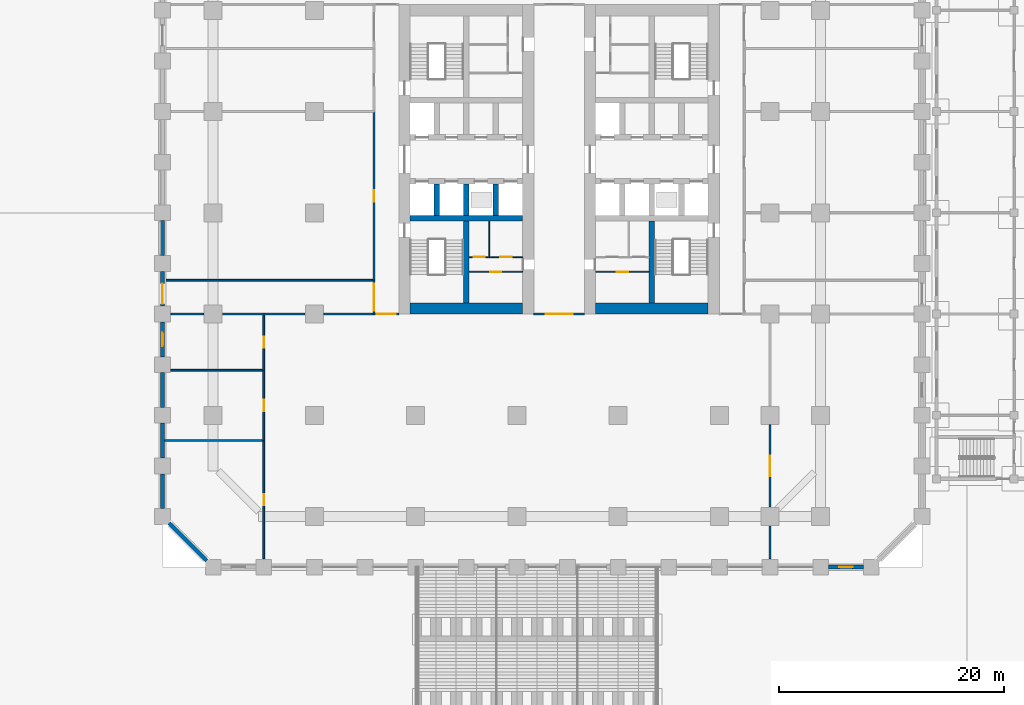
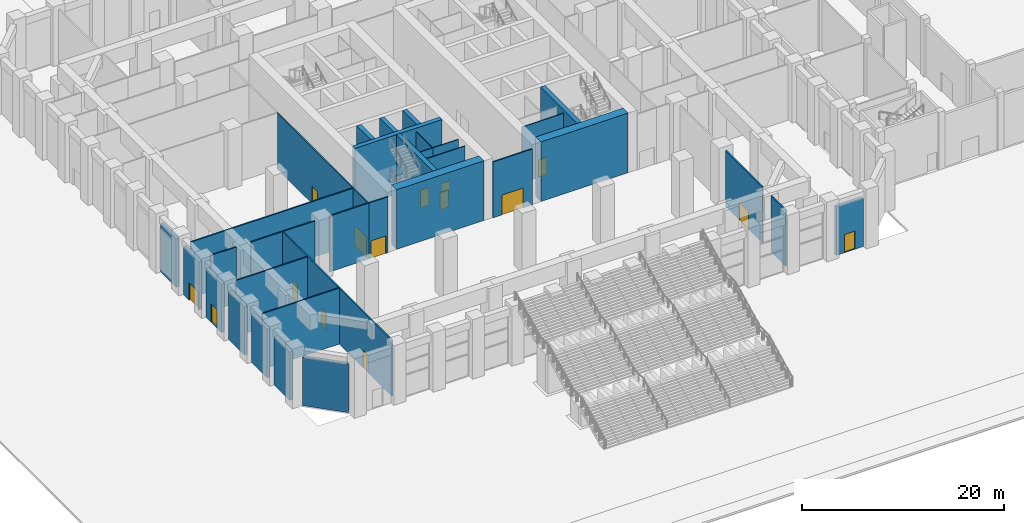
# One storey, part 9 of 30: 37 walls, 15 doors, 15 openings.
"""IFC4 building model written with IfcOpenShell, lengths in metres."""

from ifc_helpers import new_model, si_unit, direction, frame, frame_2d, origin, place, context, subcontext, project, spatial, rectangle, extrude, material, layer, layer_set, type_object, element, fill, save


model = new_model("IFC4")

# Units and contexts
model_context = context("Model", 3, precision=1e-05, world=origin(), true_north=direction((0.0, 1.0)))
body_context = subcontext(model_context, "Body", "Model", "MODEL_VIEW")
ifc_project = project(units=[si_unit("LENGTHUNIT", "METRE"), si_unit("AREAUNIT", "SQUARE_METRE"), si_unit("VOLUMEUNIT", "CUBIC_METRE"), si_unit("PLANEANGLEUNIT", "RADIAN"), si_unit("MASSUNIT", "GRAM", prefix="KILO")], contexts=[model_context])

# Site, building, storey
site_placement = place(None, origin())
site = spatial("IfcSite", under=ifc_project, at=site_placement, CompositionType="ELEMENT")
building_placement = place(site_placement, origin())
building = spatial("IfcBuilding", under=site, at=building_placement, Name="Corbel Stack Research Tower", CompositionType="ELEMENT")
storey_placement = place(building_placement, origin())
storey = spatial("IfcBuildingStorey", under=building, at=storey_placement, Name="L00", CompositionType="ELEMENT", Elevation=0.0)

# Wall
ifc_material_1 = material(Name="Concrete block", Category="concrete")
ifc_layer_1 = layer(ifc_material_1, 0.14990234375)
ifc_layer_set_1 = layer_set([ifc_layer_1], Name="Concrete block")
wall_type_1 = type_object("IfcWallType", Name="Base partition 150 L00", PredefinedType="PARTITIONING", material=ifc_layer_set_1)
wall_1_placement = place(storey_placement, frame((22.5, -30.75, 0.0), z_axis=(0.0, 0.0, 1.0), x_axis=(0.0, 1.0, 0.0)))
element("IfcWall", 1, at=wall_1_placement, inside=storey, type_object=wall_type_1, Name="Partition L00", PredefinedType="PARTITIONING", context=body_context, shape_type="SweptSolid", body=[
    extrude(rectangle(XDim=2.89990234375, YDim=0.14990234375, at=frame_2d((1.449951171875, 0.0))), origin(), (0.0, 0.0, 1.0), 6.75),
])

# Wall, opening, door
wall_2_placement = place(storey_placement, frame((22.5, -26.14990234375, 0.0), z_axis=(0.0, 0.0, 1.0), x_axis=(0.0, 1.0, 0.0)))
wall_2 = element("IfcWall", 2, at=wall_2_placement, inside=storey, type_object=wall_type_1, Name="Partition L00", PredefinedType="PARTITIONING", context=body_context, shape_type="SweptSolid", body=[
    extrude(rectangle(XDim=7.2998046875, YDim=0.14990234375, at=frame_2d((3.64990234375, 0.0))), origin(), (0.0, 0.0, 1.0), 6.75),
])
opening_1_placement = place(wall_2_placement, frame((2.75, 0.0, 0.0)))
opening_1 = element("IfcOpeningElement", 3, at=opening_1_placement, cuts=wall_2, Name="Opening BD-L00-01", PredefinedType="OPENING", context=body_context, shape_type="SweptSolid", body=[
    extrude(rectangle(XDim=1.800048828125, YDim=2.10009765625, at=frame_2d((0.89990234375, 1.050048828125))), frame((0.0, 0.0849609375, 0.0), z_axis=(0.0, -1.0, 0.0), x_axis=(1.0, 0.0, 0.0)), (0.0, 0.0, 1.0), 0.169921875),
])
ifc_material_2 = material(Name="Painted steel fire door", Category="steel")
door_type_1 = type_object("IfcDoorType", Name="Lobby door pair 1800 x 2100 FD30S", OperationType="DOUBLE_DOOR_DOUBLE_SWING", PredefinedType="DOOR", material=ifc_material_2)
door_1_placement = place(opening_1_placement, origin())
door_1 = element("IfcDoor", 4, at=door_1_placement, inside=storey, type_object=door_type_1, Name="Exhibition hall door", OperationType="DOUBLE_DOOR_DOUBLE_SWING", OverallHeight=2.10009765625, OverallWidth=1.800048828125, PredefinedType="DOOR", context=body_context, shape_type="SweptSolid", body=[
    extrude(rectangle(XDim=1.800048828125, YDim=2.10009765625, at=frame_2d((0.89990234375, 1.050048828125))), frame((0.0, 0.02490234375, 0.0), z_axis=(0.0, -1.0, 0.0), x_axis=(1.0, 0.0, 0.0)), (0.0, 0.0, 1.0), 0.050048828125),
])
fill(opening_1, door_1)

wall_3_placement = place(storey_placement, frame((-22.5, -30.75, 0.0), z_axis=(0.0, 0.0, 1.0), x_axis=(0.0, 1.0, 0.0)))
wall_3 = element("IfcWall", 5, at=wall_3_placement, inside=storey, type_object=wall_type_1, Name="Partition L00", PredefinedType="PARTITIONING", context=body_context, shape_type="SweptSolid", body=[
    extrude(rectangle(XDim=10.5, YDim=0.14990234375, at=frame_2d((5.25, 0.0))), origin(), (0.0, 0.0, 1.0), 6.75),
])
opening_2_placement = place(wall_3_placement, frame((4.75, 0.0, 0.0)))
opening_2 = element("IfcOpeningElement", 6, at=opening_2_placement, cuts=wall_3, Name="Opening BD-L00-02", PredefinedType="OPENING", context=body_context, shape_type="SweptSolid", body=[
    extrude(rectangle(XDim=1.0, YDim=2.10009765625, at=frame_2d((0.5, 1.050048828125))), frame((0.0, 0.0849609375, 0.0), z_axis=(0.0, -1.0, 0.0), x_axis=(1.0, 0.0, 0.0)), (0.0, 0.0, 1.0), 0.169921875),
])
ifc_material_3 = material(Name="Painted timber door", Category="wood")
door_type_2 = type_object("IfcDoorType", Name="WC door 1000 x 2100 right hand", OperationType="SINGLE_SWING_RIGHT", PredefinedType="DOOR", material=ifc_material_3)
door_2_placement = place(opening_2_placement, origin())
door_2 = element("IfcDoor", 7, at=door_2_placement, inside=storey, type_object=door_type_2, Name="Public WCs door", OperationType="SINGLE_SWING_RIGHT", OverallHeight=2.10009765625, OverallWidth=1.0, PredefinedType="DOOR", context=body_context, shape_type="SweptSolid", body=[
    extrude(rectangle(XDim=1.0, YDim=2.10009765625, at=frame_2d((0.5, 1.050048828125))), frame((0.0, 0.02490234375, 0.0), z_axis=(0.0, -1.0, 0.0), x_axis=(1.0, 0.0, 0.0)), (0.0, 0.0, 1.0), 0.050048828125),
])
fill(opening_2, door_2)

wall_4_placement = place(storey_placement, frame((-22.5, -20.25, 0.0), z_axis=(0.0, 0.0, 1.0), x_axis=(0.0, 1.0, 0.0)))
wall_4 = element("IfcWall", 8, at=wall_4_placement, inside=storey, type_object=wall_type_1, Name="Partition L00", PredefinedType="PARTITIONING", context=body_context, shape_type="SweptSolid", body=[
    extrude(rectangle(XDim=6.25, YDim=0.14990234375, at=frame_2d((3.125, 0.0))), origin(), (0.0, 0.0, 1.0), 6.75),
])
opening_3_placement = place(wall_4_placement, frame((2.625, 0.0, 0.0)))
opening_3 = element("IfcOpeningElement", 9, at=opening_3_placement, cuts=wall_4, Name="Opening BD-L00-03", PredefinedType="OPENING", context=body_context, shape_type="SweptSolid", body=[
    extrude(rectangle(XDim=1.0, YDim=2.10009765625, at=frame_2d((0.5, 1.050048828125))), frame((0.0, 0.0849609375, 0.0), z_axis=(0.0, -1.0, 0.0), x_axis=(1.0, 0.0, 0.0)), (0.0, 0.0, 1.0), 0.169921875),
])
ifc_material_4 = material(Name="Painted timber door", Category="wood")
door_type_3 = type_object("IfcDoorType", Name="WC door 1000 x 2100 left hand", OperationType="SINGLE_SWING_LEFT", PredefinedType="DOOR", material=ifc_material_4)
door_3_placement = place(opening_3_placement, origin())
door_3 = element("IfcDoor", 10, at=door_3_placement, inside=storey, type_object=door_type_3, Name="Accessible WC and baby change door", OperationType="SINGLE_SWING_LEFT", OverallHeight=2.10009765625, OverallWidth=1.0, PredefinedType="DOOR", context=body_context, shape_type="SweptSolid", body=[
    extrude(rectangle(XDim=1.0, YDim=2.10009765625, at=frame_2d((0.5, 1.050048828125))), frame((0.0, 0.02490234375, 0.0), z_axis=(0.0, -1.0, 0.0), x_axis=(1.0, 0.0, 0.0)), (0.0, 0.0, 1.0), 0.050048828125),
])
fill(opening_3, door_3)

wall_5_placement = place(storey_placement, frame((-22.5, -14.0, 0.0), z_axis=(0.0, 0.0, 1.0), x_axis=(0.0, 1.0, 0.0)))
wall_5 = element("IfcWall", 11, at=wall_5_placement, inside=storey, type_object=wall_type_1, Name="Partition L00", PredefinedType="PARTITIONING", context=body_context, shape_type="SweptSolid", body=[
    extrude(rectangle(XDim=5.0, YDim=0.14990234375, at=frame_2d((2.5, 0.0))), origin(), (0.0, 0.0, 1.0), 6.75),
])
opening_4_placement = place(wall_5_placement, frame((2.0, 0.0, 0.0)))
opening_4 = element("IfcOpeningElement", 12, at=opening_4_placement, cuts=wall_5, Name="Opening BD-L00-04", PredefinedType="OPENING", context=body_context, shape_type="SweptSolid", body=[
    extrude(rectangle(XDim=1.0, YDim=2.10009765625, at=frame_2d((0.5, 1.050048828125))), frame((0.0, 0.0849609375, 0.0), z_axis=(0.0, -1.0, 0.0), x_axis=(1.0, 0.0, 0.0)), (0.0, 0.0, 1.0), 0.169921875),
])
door_4_placement = place(opening_4_placement, origin())
door_4 = element("IfcDoor", 13, at=door_4_placement, inside=storey, type_object=door_type_2, Name="Staff WC block door", OperationType="SINGLE_SWING_RIGHT", OverallHeight=2.10009765625, OverallWidth=1.0, PredefinedType="DOOR", context=body_context, shape_type="SweptSolid", body=[
    extrude(rectangle(XDim=1.0, YDim=2.10009765625, at=frame_2d((0.5, 1.050048828125))), frame((0.0, 0.02490234375, 0.0), z_axis=(0.0, -1.0, 0.0), x_axis=(1.0, 0.0, 0.0)), (0.0, 0.0, 1.0), 0.050048828125),
])
fill(opening_4, door_4)

wall_6_placement = place(storey_placement, frame((-12.699951171875, -9.0, 0.0), z_axis=(0.0, 0.0, 1.0), x_axis=(1.0, 0.0, 0.0)))
wall_6 = element("IfcWall", 14, at=wall_6_placement, inside=storey, type_object=wall_type_1, Name="Partition L00", PredefinedType="PARTITIONING", context=body_context, shape_type="SweptSolid", body=[
    extrude(rectangle(XDim=2.199951171875, YDim=0.14990234375, at=frame_2d((1.10009765625, 0.0))), origin(), (0.0, 0.0, 1.0), 6.75),
])
opening_5_placement = place(wall_6_placement, frame((0.25, 0.0, 0.0)))
opening_5 = element("IfcOpeningElement", 15, at=opening_5_placement, cuts=wall_6, Name="Opening BD-L00-15", PredefinedType="OPENING", context=body_context, shape_type="SweptSolid", body=[
    extrude(rectangle(XDim=1.699951171875, YDim=2.10009765625, at=frame_2d((0.85009765625, 1.050048828125))), frame((0.0, 0.0849609375, 0.0), z_axis=(0.0, -1.0, 0.0), x_axis=(1.0, 0.0, 0.0)), (0.0, 0.0, 1.0), 0.169921875),
])
ifc_material_5 = material(Name="Painted steel fire door", Category="steel")
door_type_4 = type_object("IfcDoorType", Name="Lobby door pair 1700 x 2100 FD30S", OperationType="DOUBLE_DOOR_DOUBLE_SWING", PredefinedType="DOOR", material=ifc_material_5)
door_5_placement = place(opening_5_placement, origin())
door_5 = element("IfcDoor", 16, at=door_5_placement, inside=storey, type_object=door_type_4, Name="Main lobby and reception to Stair vestibule west opening", OperationType="DOUBLE_DOOR_DOUBLE_SWING", OverallHeight=2.10009765625, OverallWidth=1.699951171875, PredefinedType="DOOR", context=body_context, shape_type="SweptSolid", body=[
    extrude(rectangle(XDim=1.699951171875, YDim=2.10009765625, at=frame_2d((0.85009765625, 1.050048828125))), frame((0.0, 0.02490234375, 0.0), z_axis=(0.0, -1.0, 0.0), x_axis=(1.0, 0.0, 0.0)), (0.0, 0.0, 1.0), 0.050048828125),
])
fill(opening_5, door_5)

wall_7_placement = place(storey_placement, frame((1.5, -9.0, 0.0), z_axis=(0.0, 0.0, 1.0), x_axis=(1.0, 0.0, 0.0)))
wall_7 = element("IfcWall", 17, at=wall_7_placement, inside=storey, type_object=wall_type_1, Name="Partition L00", PredefinedType="PARTITIONING", context=body_context, shape_type="SweptSolid", body=[
    extrude(rectangle(XDim=4.5, YDim=0.14990234375, at=frame_2d((2.25, 0.0))), origin(), (0.0, 0.0, 1.0), 6.75),
])
opening_6_placement = place(wall_7_placement, frame((1.050048828125, 0.0, 0.0)))
opening_6 = element("IfcOpeningElement", 18, at=opening_6_placement, cuts=wall_7, Name="Opening BD-L00-17", PredefinedType="OPENING", context=body_context, shape_type="SweptSolid", body=[
    extrude(rectangle(XDim=2.39990234375, YDim=2.39990234375, at=frame_2d((1.199951171875, 1.199951171875))), frame((0.0, 0.0849609375, 0.0), z_axis=(0.0, -1.0, 0.0), x_axis=(1.0, 0.0, 0.0)), (0.0, 0.0, 1.0), 0.169921875),
])
ifc_material_6 = material(Name="Painted steel fire door", Category="steel")
door_type_5 = type_object("IfcDoorType", Name="Lobby door pair 2400 x 2400 FD30S", OperationType="DOUBLE_DOOR_DOUBLE_SWING", PredefinedType="DOOR", material=ifc_material_6)
door_6_placement = place(opening_6_placement, origin())
door_6 = element("IfcDoor", 19, at=door_6_placement, inside=storey, type_object=door_type_5, Name="Main lobby and reception to Central circulation opening", OperationType="DOUBLE_DOOR_DOUBLE_SWING", OverallHeight=2.39990234375, OverallWidth=2.39990234375, PredefinedType="DOOR", context=body_context, shape_type="SweptSolid", body=[
    extrude(rectangle(XDim=2.39990234375, YDim=2.39990234375, at=frame_2d((1.199951171875, 1.199951171875))), frame((0.0, 0.02490234375, 0.0), z_axis=(0.0, -1.0, 0.0), x_axis=(1.0, 0.0, 0.0)), (0.0, 0.0, 1.0), 0.050048828125),
])
fill(opening_6, door_6)

# Walls
wall_8_placement = place(storey_placement, frame((-17.14990234375, -9.0, 0.0), z_axis=(0.0, 0.0, 1.0), x_axis=(1.0, 0.0, 0.0)))
element("IfcWall", 20, at=wall_8_placement, inside=storey, type_object=wall_type_1, Name="Partition L00", PredefinedType="PARTITIONING", context=body_context, shape_type="SweptSolid", body=[
    extrude(rectangle(XDim=4.449951171875, YDim=0.14990234375, at=frame_2d((2.22509765625, 0.0))), origin(), (0.0, 0.0, 1.0), 6.75),
])
wall_9_placement = place(storey_placement, frame((-22.5, -9.0, 0.0), z_axis=(0.0, 0.0, 1.0), x_axis=(1.0, 0.0, 0.0)))
element("IfcWall", 21, at=wall_9_placement, inside=storey, type_object=wall_type_1, Name="Partition L00", PredefinedType="PARTITIONING", context=body_context, shape_type="SweptSolid", body=[
    extrude(rectangle(XDim=3.64990234375, YDim=0.14990234375, at=frame_2d((1.824951171875, 0.0))), origin(), (0.0, 0.0, 1.0), 6.75),
])
wall_10_placement = place(storey_placement, frame((-31.324951171875, -20.25, 0.0), z_axis=(0.0, 0.0, 1.0), x_axis=(1.0, 0.0, 0.0)))
element("IfcWall", 22, at=wall_10_placement, inside=storey, type_object=wall_type_1, Name="Partition L00", PredefinedType="PARTITIONING", context=body_context, shape_type="SweptSolid", body=[
    extrude(rectangle(XDim=8.824951171875, YDim=0.14990234375, at=frame_2d((4.41259765625, 0.0))), origin(), (0.0, 0.0, 1.0), 6.75),
])
wall_11_placement = place(storey_placement, frame((-30.75, -14.0, 0.0), z_axis=(0.0, 0.0, 1.0), x_axis=(1.0, 0.0, 0.0)))
element("IfcWall", 23, at=wall_11_placement, inside=storey, type_object=wall_type_1, Name="Partition L00", PredefinedType="PARTITIONING", context=body_context, shape_type="SweptSolid", body=[
    extrude(rectangle(XDim=8.25, YDim=0.14990234375, at=frame_2d((4.125, 0.0))), origin(), (0.0, 0.0, 1.0), 6.75),
])
wall_12_placement = place(storey_placement, frame((-26.14990234375, -9.0, 0.0), z_axis=(0.0, 0.0, 1.0), x_axis=(1.0, 0.0, 0.0)))
element("IfcWall", 24, at=wall_12_placement, inside=storey, type_object=wall_type_1, Name="Partition L00", PredefinedType="PARTITIONING", context=body_context, shape_type="SweptSolid", body=[
    extrude(rectangle(XDim=3.64990234375, YDim=0.14990234375, at=frame_2d((1.824951171875, 0.0))), origin(), (0.0, 0.0, 1.0), 6.75),
])
wall_13_placement = place(storey_placement, frame((-30.75, -9.0, 0.0), z_axis=(0.0, 0.0, 1.0), x_axis=(1.0, 0.0, 0.0)))
element("IfcWall", 25, at=wall_13_placement, inside=storey, type_object=wall_type_1, Name="Partition L00", PredefinedType="PARTITIONING", context=body_context, shape_type="SweptSolid", body=[
    extrude(rectangle(XDim=2.89990234375, YDim=0.14990234375, at=frame_2d((1.449951171875, 0.0))), origin(), (0.0, 0.0, 1.0), 6.75),
])

# Wall, opening, door
wall_14_placement = place(storey_placement, frame((-12.699951171875, -9.0, 0.0), z_axis=(0.0, 0.0, 1.0), x_axis=(0.0, 1.0, 0.0)))
wall_14 = element("IfcWall", 26, at=wall_14_placement, inside=storey, type_object=wall_type_1, Name="Partition L00", PredefinedType="PARTITIONING", context=body_context, shape_type="SweptSolid", body=[
    extrude(rectangle(XDim=3.0, YDim=0.14990234375, at=frame_2d((1.5, 0.0))), origin(), (0.0, 0.0, 1.0), 6.75),
])
opening_7_placement = place(wall_14_placement, frame((0.300048828125, 0.0, 0.0)))
opening_7 = element("IfcOpeningElement", 27, at=opening_7_placement, cuts=wall_14, Name="Opening BD-L00-18", PredefinedType="OPENING", context=body_context, shape_type="SweptSolid", body=[
    extrude(rectangle(XDim=2.39990234375, YDim=2.39990234375, at=frame_2d((1.199951171875, 1.199951171875))), frame((0.0, 0.0849609375, 0.0), z_axis=(0.0, -1.0, 0.0), x_axis=(1.0, 0.0, 0.0)), (0.0, 0.0, 1.0), 0.169921875),
])
ifc_material_7 = material(Name="Painted steel fire door", Category="steel")
door_type_6 = type_object("IfcDoorType", Name="Lobby door pair 2400 x 2400 FD60", OperationType="DOUBLE_DOOR_DOUBLE_SWING", PredefinedType="DOOR", material=ifc_material_7)
door_7_placement = place(opening_7_placement, origin())
door_7 = element("IfcDoor", 28, at=door_7_placement, inside=storey, type_object=door_type_6, Name="Stair vestibule west to Exit passage ST-W1 opening", OperationType="DOUBLE_DOOR_DOUBLE_SWING", OverallHeight=2.39990234375, OverallWidth=2.39990234375, PredefinedType="DOOR", context=body_context, shape_type="SweptSolid", body=[
    extrude(rectangle(XDim=2.39990234375, YDim=2.39990234375, at=frame_2d((1.199951171875, 1.199951171875))), frame((0.0, 0.02490234375, 0.0), z_axis=(0.0, -1.0, 0.0), x_axis=(1.0, 0.0, 0.0)), (0.0, 0.0, 1.0), 0.050048828125),
])
fill(opening_7, door_7)

wall_15_placement = place(storey_placement, frame((-12.699951171875, -6.0, 0.0), z_axis=(0.0, 0.0, 1.0), x_axis=(0.0, 1.0, 0.0)))
wall_15 = element("IfcWall", 29, at=wall_15_placement, inside=storey, type_object=wall_type_1, Name="Partition L00", PredefinedType="PARTITIONING", context=body_context, shape_type="SweptSolid", body=[
    extrude(rectangle(XDim=15.0, YDim=0.14990234375, at=frame_2d((7.5, 0.0))), origin(), (0.0, 0.0, 1.0), 6.75),
])
opening_8_placement = place(wall_15_placement, frame((7.0, 0.0, 0.0)))
opening_8 = element("IfcOpeningElement", 30, at=opening_8_placement, cuts=wall_15, Name="Opening BD-L00-05", PredefinedType="OPENING", context=body_context, shape_type="SweptSolid", body=[
    extrude(rectangle(XDim=1.0, YDim=2.10009765625, at=frame_2d((0.5, 1.050048828125))), frame((0.0, 0.0849609375, 0.0), z_axis=(0.0, -1.0, 0.0), x_axis=(1.0, 0.0, 0.0)), (0.0, 0.0, 1.0), 0.169921875),
])
door_8_placement = place(opening_8_placement, origin())
door_8 = element("IfcDoor", 31, at=door_8_placement, inside=storey, type_object=door_type_3, Name="Visitor cafe door", OperationType="SINGLE_SWING_LEFT", OverallHeight=2.10009765625, OverallWidth=1.0, PredefinedType="DOOR", context=body_context, shape_type="SweptSolid", body=[
    extrude(rectangle(XDim=1.0, YDim=2.10009765625, at=frame_2d((0.5, 1.050048828125))), frame((0.0, 0.02490234375, 0.0), z_axis=(0.0, -1.0, 0.0), x_axis=(1.0, 0.0, 0.0)), (0.0, 0.0, 1.0), 0.050048828125),
])
fill(opening_8, door_8)

# Wall
wall_16_placement = place(storey_placement, frame((-31.324951171875, -6.0, 0.0), z_axis=(0.0, 0.0, 1.0), x_axis=(1.0, 0.0, 0.0)))
element("IfcWall", 32, at=wall_16_placement, inside=storey, type_object=wall_type_1, Name="Partition L00", PredefinedType="PARTITIONING", context=body_context, shape_type="SweptSolid", body=[
    extrude(rectangle(XDim=18.625, YDim=0.14990234375, at=frame_2d((9.3125, 0.0))), origin(), (0.0, 0.0, 1.0), 6.75),
])

# Wall, opening, door
ifc_material_8 = material(Name="Concrete C45/55", Category="concrete")
ifc_layer_2 = layer(ifc_material_8, 0.35009765625)
ifc_layer_set_2 = layer_set([ifc_layer_2], Name="Concrete C45/55")
wall_type_2 = type_object("IfcWallType", Name="Board-marked concrete wall 350", PredefinedType="SOLIDWALL", material=ifc_layer_set_2)
wall_17_placement = place(storey_placement, frame((30.800048828125, -31.5, 0.0), z_axis=(0.0, 0.0, 1.0), x_axis=(-1.0, 0.0, 0.0)))
wall_17 = element("IfcWall", 33, at=wall_17_placement, inside=storey, type_object=wall_type_2, Name="Facade wall L00 S13", PredefinedType="SOLIDWALL", context=body_context, shape_type="SweptSolid", body=[
    extrude(rectangle(XDim=3.10009765625, YDim=0.35009765625, at=frame_2d((1.550048828125, 0.0))), origin(), (0.0, 0.0, 1.0), 5.85009765625),
])
opening_9_placement = place(wall_17_placement, frame((0.949951171875, 0.0, 0.0)))
opening_9 = element("IfcOpeningElement", 34, at=opening_9_placement, cuts=wall_17, Name="Opening EX-2", PredefinedType="OPENING", context=body_context, shape_type="SweptSolid", body=[
    extrude(rectangle(XDim=1.199951171875, YDim=2.199951171875, at=frame_2d((0.60009765625, 1.10009765625))), frame((0.0, 0.18505859375, 0.0), z_axis=(0.0, -1.0, 0.0), x_axis=(1.0, 0.0, 0.0)), (0.0, 0.0, 1.0), 0.3701171875),
])
ifc_material_9 = material(Name="Steel door leaf, painted", Category="steel")
door_type_7 = type_object("IfcDoorType", Name="Exit door EX 1200 x 2200", OperationType="NOTDEFINED", PredefinedType="DOOR", material=ifc_material_9)
door_9_placement = place(opening_9_placement, origin())
door_9 = element("IfcDoor", 35, at=door_9_placement, inside=storey, type_object=door_type_7, Name="Exit door EX-2", OperationType="SINGLE_SWING_LEFT", OverallHeight=2.199951171875, OverallWidth=1.199951171875, PredefinedType="DOOR", context=body_context, shape_type="SweptSolid", body=[
    extrude(rectangle(XDim=1.199951171875, YDim=2.199951171875, at=frame_2d((0.60009765625, 1.10009765625))), frame((0.0, 0.02490234375, 0.0), z_axis=(0.0, -1.0, 0.0), x_axis=(1.0, 0.0, 0.0)), (0.0, 0.0, 1.0), 0.050048828125),
])
fill(opening_9, door_9)

# Wall
wall_18_placement = place(storey_placement, frame((-31.5, -3.800048828125, 0.0), z_axis=(0.0, 0.0, 1.0), x_axis=(0.0, 1.0, 0.0)))
element("IfcWall", 36, at=wall_18_placement, inside=storey, type_object=wall_type_2, Name="Facade wall L00 W08", PredefinedType="SOLIDWALL", context=body_context, shape_type="SweptSolid", body=[
    extrude(rectangle(XDim=3.10009765625, YDim=0.35009765625, at=frame_2d((1.550048828125, 0.0))), origin(), (0.0, 0.0, 1.0), 5.85009765625),
])

# Wall, opening, door
wall_19_placement = place(storey_placement, frame((-31.5, -8.300048828125, 0.0), z_axis=(0.0, 0.0, 1.0), x_axis=(0.0, 1.0, 0.0)))
wall_19 = element("IfcWall", 37, at=wall_19_placement, inside=storey, type_object=wall_type_2, Name="Facade wall L00 W09", PredefinedType="SOLIDWALL", context=body_context, shape_type="SweptSolid", body=[
    extrude(rectangle(XDim=3.10009765625, YDim=0.35009765625, at=frame_2d((1.550048828125, 0.0))), origin(), (0.0, 0.0, 1.0), 5.85009765625),
])
opening_10_placement = place(wall_19_placement, frame((0.199951171875, 0.0, 0.0)))
opening_10 = element("IfcOpeningElement", 38, at=opening_10_placement, cuts=wall_19, Name="Opening XD-1", PredefinedType="OPENING", context=body_context, shape_type="SweptSolid", body=[
    extrude(rectangle(XDim=1.800048828125, YDim=2.10009765625, at=frame_2d((0.89990234375, 1.050048828125))), frame((0.0, 0.18505859375, 0.0), z_axis=(0.0, -1.0, 0.0), x_axis=(1.0, 0.0, 0.0)), (0.0, 0.0, 1.0), 0.3701171875),
])
ifc_material_10 = material(Name="Painted steel door", Category="steel")
door_type_8 = type_object("IfcDoorType", Name="Exit door pair 1800 x 2100", OperationType="DOUBLE_DOOR_DOUBLE_SWING", PredefinedType="DOOR", material=ifc_material_10)
door_10_placement = place(opening_10_placement, origin())
door_10 = element("IfcDoor", 39, at=door_10_placement, inside=storey, type_object=door_type_8, Name="Exit passage ST-W1 exit door pair", OperationType="DOUBLE_DOOR_DOUBLE_SWING", OverallHeight=2.10009765625, OverallWidth=1.800048828125, PredefinedType="DOOR", context=body_context, shape_type="SweptSolid", body=[
    extrude(rectangle(XDim=1.800048828125, YDim=2.10009765625, at=frame_2d((0.89990234375, 1.050048828125))), frame((0.0, 0.02490234375, 0.0), z_axis=(0.0, -1.0, 0.0), x_axis=(1.0, 0.0, 0.0)), (0.0, 0.0, 1.0), 0.050048828125),
])
fill(opening_10, door_10)

wall_20_placement = place(storey_placement, frame((-31.5, -12.800048828125, 0.0), z_axis=(0.0, 0.0, 1.0), x_axis=(0.0, 1.0, 0.0)))
wall_20 = element("IfcWall", 40, at=wall_20_placement, inside=storey, type_object=wall_type_2, Name="Facade wall L00 W10", PredefinedType="SOLIDWALL", context=body_context, shape_type="SweptSolid", body=[
    extrude(rectangle(XDim=3.10009765625, YDim=0.35009765625, at=frame_2d((1.550048828125, 0.0))), origin(), (0.0, 0.0, 1.0), 5.85009765625),
])
opening_11_placement = place(wall_20_placement, frame((0.949951171875, 0.0, 0.0)))
opening_11 = element("IfcOpeningElement", 41, at=opening_11_placement, cuts=wall_20, Name="Opening EX-7", PredefinedType="OPENING", context=body_context, shape_type="SweptSolid", body=[
    extrude(rectangle(XDim=1.199951171875, YDim=2.199951171875, at=frame_2d((0.60009765625, 1.10009765625))), frame((0.0, 0.18505859375, 0.0), z_axis=(0.0, -1.0, 0.0), x_axis=(1.0, 0.0, 0.0)), (0.0, 0.0, 1.0), 0.3701171875),
])
door_11_placement = place(opening_11_placement, origin())
door_11 = element("IfcDoor", 42, at=door_11_placement, inside=storey, type_object=door_type_7, Name="Exit door EX-7", OperationType="SINGLE_SWING_LEFT", OverallHeight=2.199951171875, OverallWidth=1.199951171875, PredefinedType="DOOR", context=body_context, shape_type="SweptSolid", body=[
    extrude(rectangle(XDim=1.199951171875, YDim=2.199951171875, at=frame_2d((0.60009765625, 1.10009765625))), frame((0.0, 0.02490234375, 0.0), z_axis=(0.0, -1.0, 0.0), x_axis=(1.0, 0.0, 0.0)), (0.0, 0.0, 1.0), 0.050048828125),
])
fill(opening_11, door_11)

# Walls
for number, where, z_axis, x_axis, name in (
    (43, (-31.5, -17.300048828125, 0.0), (0.0, 0.0, 1.0), (0.0, 1.0, 0.0), "Facade wall L00 W11"),
    (44, (-31.5, -21.800048828125, 0.0), (0.0, 0.0, 1.0), (0.0, 1.0, 0.0), "Facade wall L00 W12"),
    (45, (-31.5, -26.300048828125, 0.0), (0.0, 0.0, 1.0), (0.0, 1.0, 0.0), "Facade wall L00 W13"),
):
    element("IfcWall", number, at=place(storey_placement, frame(where, z_axis=z_axis, x_axis=x_axis)), inside=storey, type_object=wall_type_2, Name=name, PredefinedType="SOLIDWALL", context=body_context, shape_type="SweptSolid", body=[
        extrude(rectangle(XDim=3.10009765625, YDim=0.35009765625, at=frame_2d((1.550048828125, 0.0))), origin(), (0.0, 0.0, 1.0), 5.85009765625),
    ])
wall_21_placement = place(storey_placement, frame((-27.576416015625, -30.923583984375, 0.0), z_axis=(0.0, 0.0, 1.0), x_axis=(-0.707106781187, 0.707106781187, 0.0)))
element("IfcWall", 46, at=wall_21_placement, inside=storey, type_object=wall_type_2, Name="Facade wall L00 SW01", PredefinedType="SOLIDWALL", context=body_context, shape_type="SweptSolid", body=[
    extrude(rectangle(XDim=4.733642578125, YDim=0.35009765625, at=frame_2d((2.36669921875, 0.0))), origin(), (0.0, 0.0, 1.0), 5.85009765625),
])
ifc_material_11 = material(Name="Concrete C70/85", Category="concrete")
ifc_layer_3 = layer(ifc_material_11, 1.0)
ifc_layer_set_3 = layer_set([ifc_layer_3], Name="Concrete C70/85")
wall_type_3 = type_object("IfcWallType", Name="CW-1000-70", PredefinedType="SHEAR", material=ifc_layer_set_3)
for number, where, z_axis, x_axis, name in (
    (47, (-9.5, -8.5, 0.0), (0.0, 0.0, 1.0), (1.0, 0.0, 0.0), "West core wall, south end L00"),
    (48, (7.0, -8.5, 0.0), (0.0, 0.0, 1.0), (1.0, 0.0, 0.0), "East core wall, south end L00"),
):
    element("IfcWall", number, at=place(storey_placement, frame(where, z_axis=z_axis, x_axis=x_axis)), inside=storey, type_object=wall_type_3, Name=name, PredefinedType="SHEAR", context=body_context, shape_type="SweptSolid", body=[
        extrude(rectangle(XDim=10.0, YDim=1.0, at=frame_2d((5.0, 0.0))), origin(), (0.0, 0.0, 1.0), 7.199951171875),
    ])
ifc_material_12 = material(Name="Concrete C70/85", Category="concrete")
ifc_layer_4 = layer(ifc_material_12, 0.5)
ifc_layer_set_4 = layer_set([ifc_layer_4], Name="Concrete C70/85")
wall_type_4 = type_object("IfcWallType", Name="CW-500-70", PredefinedType="SHEAR", material=ifc_layer_set_4)
wall_22_placement = place(storey_placement, frame((-9.5, -0.5, 0.0), z_axis=(0.0, 0.0, 1.0), x_axis=(1.0, 0.0, 0.0)))
element("IfcWall", 49, at=wall_22_placement, inside=storey, type_object=wall_type_4, Name="West core wall, south row back L00", PredefinedType="SHEAR", context=body_context, shape_type="SweptSolid", body=[
    extrude(rectangle(XDim=10.0, YDim=0.5, at=frame_2d((5.0, 0.0))), origin(), (0.0, 0.0, 1.0), 7.199951171875),
])
for number, where, z_axis, x_axis, name in (
    (50, (-7.125, -0.25, 0.0), (0.0, 0.0, 1.0), (0.0, 1.0, 0.0), "West core wall, south shaft 1 L00"),
    (51, (-4.5, -0.25, 0.0), (0.0, 0.0, 1.0), (0.0, 1.0, 0.0), "West core wall, south shaft 2 L00"),
    (52, (-1.875, -0.25, 0.0), (0.0, 0.0, 1.0), (0.0, 1.0, 0.0), "West core wall, south shaft 3 L00"),
):
    element("IfcWall", number, at=place(storey_placement, frame(where, z_axis=z_axis, x_axis=x_axis)), inside=storey, type_object=wall_type_4, Name=name, PredefinedType="SHEAR", context=body_context, shape_type="SweptSolid", body=[
        extrude(rectangle(XDim=2.800048828125, YDim=0.5, at=frame_2d((1.39990234375, 0.0))), origin(), (0.0, 0.0, 1.0), 7.199951171875),
    ])
for number, where, z_axis, x_axis, name in (
    (53, (-4.5, -8.0, 0.0), (0.0, 0.0, 1.0), (0.0, 1.0, 0.0), "West core wall, south stair and WC L00"),
    (54, (12.0, -8.0, 0.0), (0.0, 0.0, 1.0), (0.0, 1.0, 0.0), "East core wall, south stair and WC L00"),
):
    element("IfcWall", number, at=place(storey_placement, frame(where, z_axis=z_axis, x_axis=x_axis)), inside=storey, type_object=wall_type_4, Name=name, PredefinedType="SHEAR", context=body_context, shape_type="SweptSolid", body=[
        extrude(rectangle(XDim=7.25, YDim=0.5, at=frame_2d((3.625, 0.0))), origin(), (0.0, 0.0, 1.0), 7.199951171875),
    ])

# Wall, opening, door
ifc_material_13 = material(Name="Gypsum board")
ifc_layer_5 = layer(ifc_material_13, 0.10009765625)
ifc_layer_set_5 = layer_set([ifc_layer_5], Name="Gypsum board")
wall_type_5 = type_object("IfcWallType", Name="Core partition 100", PredefinedType="PARTITIONING", material=ifc_layer_set_5)
wall_23_placement = place(storey_placement, frame((-4.25, -5.2451171875, 0.0), z_axis=(0.0, 0.0, 1.0), x_axis=(1.0, 0.0, 0.0)))
wall_23 = element("IfcWall", 55, at=wall_23_placement, inside=storey, type_object=wall_type_5, Name="Core partition W", PredefinedType="PARTITIONING", context=body_context, shape_type="SweptSolid", body=[
    extrude(rectangle(XDim=4.75, YDim=0.10009765625, at=frame_2d((2.375, 0.0))), origin(), (0.0, 0.0, 1.0), 6.75),
])
opening_12_placement = place(wall_23_placement, frame((1.875, 0.0, 0.0)))
opening_12 = element("IfcOpeningElement", 56, at=opening_12_placement, cuts=wall_23, Name="Opening CR-W24-W2-1000", PredefinedType="OPENING", context=body_context, shape_type="SweptSolid", body=[
    extrude(rectangle(XDim=1.0, YDim=2.10009765625, at=frame_2d((0.5, 1.050048828125))), frame((0.0, 0.06005859375, 0.0), z_axis=(0.0, -1.0, 0.0), x_axis=(1.0, 0.0, 0.0)), (0.0, 0.0, 1.0), 0.1201171875),
])
door_12_placement = place(opening_12_placement, origin())
door_12 = element("IfcDoor", 57, at=door_12_placement, inside=storey, type_object=door_type_2, Name="Men's WC door W core", OperationType="SINGLE_SWING_RIGHT", OverallHeight=2.10009765625, OverallWidth=1.0, PredefinedType="DOOR", context=body_context, shape_type="SweptSolid", body=[
    extrude(rectangle(XDim=1.0, YDim=2.10009765625, at=frame_2d((0.5, 1.050048828125))), frame((0.0, 0.02490234375, 0.0), z_axis=(0.0, -1.0, 0.0), x_axis=(1.0, 0.0, 0.0)), (0.0, 0.0, 1.0), 0.050048828125),
])
fill(opening_12, door_12)

wall_24_placement = place(storey_placement, frame((-2.445068359375, -3.93994140625, 0.0), z_axis=(0.0, 0.0, 1.0), x_axis=(1.0, 0.0, 0.0)))
wall_24 = element("IfcWall", 58, at=wall_24_placement, inside=storey, type_object=wall_type_5, Name="Core partition W", PredefinedType="PARTITIONING", context=body_context, shape_type="SweptSolid", body=[
    extrude(rectangle(XDim=2.945068359375, YDim=0.10009765625, at=frame_2d((1.47265625, 0.0))), origin(), (0.0, 0.0, 1.0), 6.75),
])
opening_13_placement = place(wall_24_placement, frame((0.972412109375, 0.0, 0.0)))
opening_13 = element("IfcOpeningElement", 59, at=opening_13_placement, cuts=wall_24, Name="Opening CR-W24-W3-1000", PredefinedType="OPENING", context=body_context, shape_type="SweptSolid", body=[
    extrude(rectangle(XDim=1.0, YDim=2.10009765625, at=frame_2d((0.5, 1.050048828125))), frame((0.0, 0.06005859375, 0.0), z_axis=(0.0, -1.0, 0.0), x_axis=(1.0, 0.0, 0.0)), (0.0, 0.0, 1.0), 0.1201171875),
])
door_13_placement = place(opening_13_placement, origin())
door_13 = element("IfcDoor", 60, at=door_13_placement, inside=storey, type_object=door_type_3, Name="Women's WC door W core", OperationType="SINGLE_SWING_LEFT", OverallHeight=2.10009765625, OverallWidth=1.0, PredefinedType="DOOR", context=body_context, shape_type="SweptSolid", body=[
    extrude(rectangle(XDim=1.0, YDim=2.10009765625, at=frame_2d((0.5, 1.050048828125))), frame((0.0, 0.02490234375, 0.0), z_axis=(0.0, -1.0, 0.0), x_axis=(1.0, 0.0, 0.0)), (0.0, 0.0, 1.0), 0.050048828125),
])
fill(opening_13, door_13)

wall_25_placement = place(storey_placement, frame((-4.25, -3.93994140625, 0.0), z_axis=(0.0, 0.0, 1.0), x_axis=(1.0, 0.0, 0.0)))
wall_25 = element("IfcWall", 61, at=wall_25_placement, inside=storey, type_object=wall_type_5, Name="Core partition W", PredefinedType="PARTITIONING", context=body_context, shape_type="SweptSolid", body=[
    extrude(rectangle(XDim=1.804931640625, YDim=0.10009765625, at=frame_2d((0.90234375, 0.0))), origin(), (0.0, 0.0, 1.0), 6.75),
])
opening_14_placement = place(wall_25_placement, frame((0.402587890625, 0.0, 0.0)))
opening_14 = element("IfcOpeningElement", 62, at=opening_14_placement, cuts=wall_25, Name="Opening CR-W24-W4-1000", PredefinedType="OPENING", context=body_context, shape_type="SweptSolid", body=[
    extrude(rectangle(XDim=1.0, YDim=2.10009765625, at=frame_2d((0.5, 1.050048828125))), frame((0.0, 0.06005859375, 0.0), z_axis=(0.0, -1.0, 0.0), x_axis=(1.0, 0.0, 0.0)), (0.0, 0.0, 1.0), 0.1201171875),
])
door_14_placement = place(opening_14_placement, origin())
door_14 = element("IfcDoor", 63, at=door_14_placement, inside=storey, type_object=door_type_2, Name="Accessible WC door W core", OperationType="SINGLE_SWING_RIGHT", OverallHeight=2.10009765625, OverallWidth=1.0, PredefinedType="DOOR", context=body_context, shape_type="SweptSolid", body=[
    extrude(rectangle(XDim=1.0, YDim=2.10009765625, at=frame_2d((0.5, 1.050048828125))), frame((0.0, 0.02490234375, 0.0), z_axis=(0.0, -1.0, 0.0), x_axis=(1.0, 0.0, 0.0)), (0.0, 0.0, 1.0), 0.050048828125),
])
fill(opening_14, door_14)

# Wall
wall_26_placement = place(storey_placement, frame((-2.445068359375, -3.93994140625, 0.0), z_axis=(0.0, 0.0, 1.0), x_axis=(0.0, 1.0, 0.0)))
element("IfcWall", 64, at=wall_26_placement, inside=storey, type_object=wall_type_5, Name="Core partition W", PredefinedType="PARTITIONING", context=body_context, shape_type="SweptSolid", body=[
    extrude(rectangle(XDim=3.18994140625, YDim=0.10009765625, at=frame_2d((1.594970703125, 0.0))), origin(), (0.0, 0.0, 1.0), 6.75),
])

# Wall, opening, door
wall_27_placement = place(storey_placement, frame((7.0, -5.2451171875, 0.0), z_axis=(0.0, 0.0, 1.0), x_axis=(1.0, 0.0, 0.0)))
wall_27 = element("IfcWall", 65, at=wall_27_placement, inside=storey, type_object=wall_type_5, Name="Core partition E", PredefinedType="PARTITIONING", context=body_context, shape_type="SweptSolid", body=[
    extrude(rectangle(XDim=4.75, YDim=0.10009765625, at=frame_2d((2.375, 0.0))), origin(), (0.0, 0.0, 1.0), 6.75),
])
opening_15_placement = place(wall_27_placement, frame((1.875, 0.0, 0.0)))
opening_15 = element("IfcOpeningElement", 66, at=opening_15_placement, cuts=wall_27, Name="Opening CR-E24-W2-1000", PredefinedType="OPENING", context=body_context, shape_type="SweptSolid", body=[
    extrude(rectangle(XDim=1.0, YDim=2.10009765625, at=frame_2d((0.5, 1.050048828125))), frame((0.0, 0.06005859375, 0.0), z_axis=(0.0, -1.0, 0.0), x_axis=(1.0, 0.0, 0.0)), (0.0, 0.0, 1.0), 0.1201171875),
])
door_15_placement = place(opening_15_placement, origin())
door_15 = element("IfcDoor", 67, at=door_15_placement, inside=storey, type_object=door_type_3, Name="Men's WC door E core", OperationType="SINGLE_SWING_LEFT", OverallHeight=2.10009765625, OverallWidth=1.0, PredefinedType="DOOR", context=body_context, shape_type="SweptSolid", body=[
    extrude(rectangle(XDim=1.0, YDim=2.10009765625, at=frame_2d((0.5, 1.050048828125))), frame((0.0, 0.02490234375, 0.0), z_axis=(0.0, -1.0, 0.0), x_axis=(1.0, 0.0, 0.0)), (0.0, 0.0, 1.0), 0.050048828125),
])
fill(opening_15, door_15)

save(model, "model.ifc")
